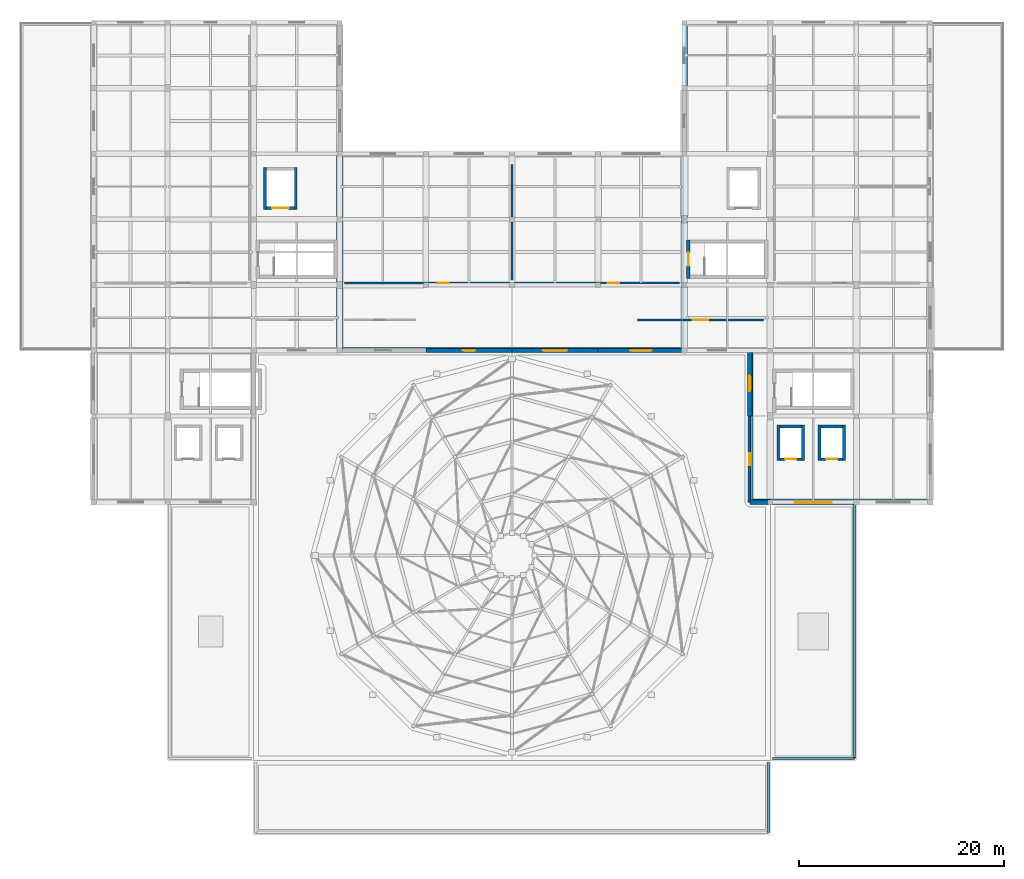
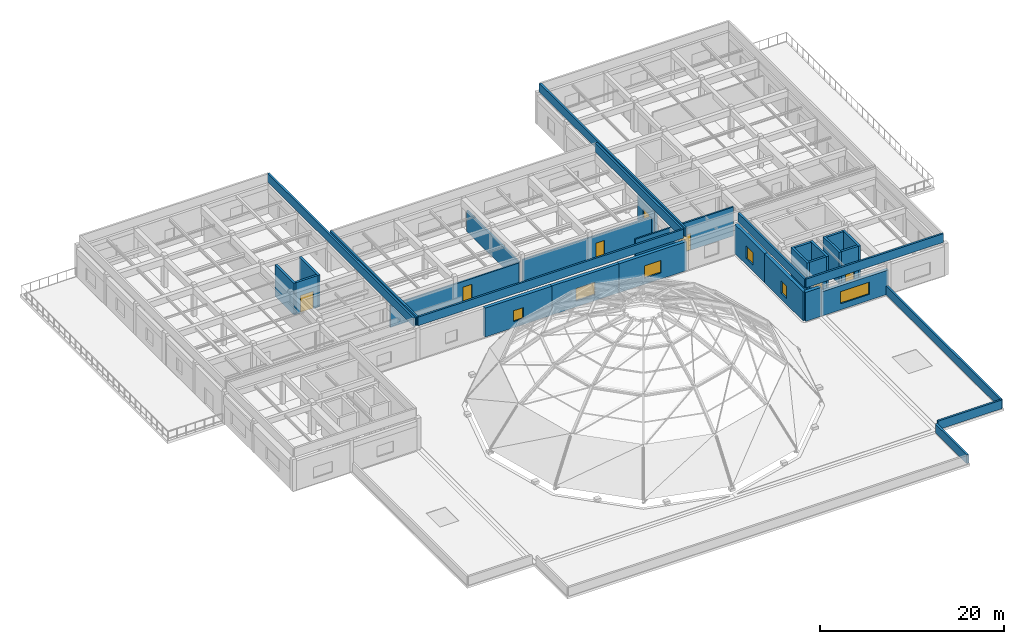
# One storey, part 12 of 18: 33 walls, 7 doors, 6 windows, 13 openings.
"""IFC4 building model written with IfcOpenShell, lengths in metres."""

from ifc_helpers import new_model, si_unit, direction, frame, frame_2d, origin, place, context, subcontext, project, spatial, rectangle, extrude, material, layer, layer_set, type_object, element, fill, save


model = new_model("IFC4")

# Units and contexts
model_context = context("Model", 3, precision=1e-05, world=origin(), true_north=direction((0.0, 1.0)))
body_context = subcontext(model_context, "Body", "Model", "MODEL_VIEW")
ifc_project = project(units=[si_unit("LENGTHUNIT", "METRE"), si_unit("AREAUNIT", "SQUARE_METRE"), si_unit("VOLUMEUNIT", "CUBIC_METRE"), si_unit("PLANEANGLEUNIT", "RADIAN"), si_unit("MASSUNIT", "GRAM", prefix="KILO")], contexts=[model_context])

# Site, building, storey
site_placement = place(None, origin())
site = spatial("IfcSite", under=ifc_project, at=site_placement, CompositionType="ELEMENT")
building_placement = place(site_placement, origin())
building = spatial("IfcBuilding", under=site, at=building_placement, Name="Korsvaeld Concert Hall", CompositionType="ELEMENT")
storey_placement = place(building_placement, frame((0.0, 0.0, 17.39990234375)))
storey = spatial("IfcBuildingStorey", under=building, at=storey_placement, Name="L04", CompositionType="ELEMENT", Elevation=17.39990234375)

# Wall, opening, door
ifc_material_1 = material(Name="Concrete C40/50", Category="concrete")
ifc_layer_1 = layer(ifc_material_1, 0.340087890625)
ifc_layer_set_1 = layer_set([ifc_layer_1], Name="Concrete C40/50")
wall_type_1 = type_object("IfcWallType", Name="WL-CORE-340", PredefinedType="SHEAR", material=ifc_layer_set_1)
wall_1_placement = place(storey_placement, frame((101.199951171875, 94.010009765625, 0.0), z_axis=(0.0, 0.0, 1.0), x_axis=(0.0, -1.0, 0.0)))
wall_1 = element("IfcWall", 1, at=wall_1_placement, inside=storey, type_object=wall_type_1, Name="Core K6 shear wall L04 W", PredefinedType="SHEAR", context=body_context, shape_type="SweptSolid", body=[
    extrude(rectangle(XDim=3.780029296875, YDim=0.340087890625, at=frame_2d((1.89013671875, 0.0))), origin(), (0.0, 0.0, 1.0), 4.2001953125),
])
opening_1_placement = place(wall_1_placement, frame((1.239990234375, 0.0, 0.0)))
opening_1 = element("IfcOpeningElement", 2, at=opening_1_placement, cuts=wall_1, Name="Opening FD-01", PredefinedType="OPENING", context=body_context, shape_type="SweptSolid", body=[
    extrude(rectangle(XDim=1.300048828125, YDim=2.14990234375, at=frame_2d((0.64990234375, 1.074951171875))), frame((0.0, 0.18017578125, 0.0), z_axis=(0.0, -1.0, 0.0), x_axis=(1.0, 0.0, 0.0)), (0.0, 0.0, 1.0), 0.360107421875),
])
ifc_material_2 = material(Name="Acoustic steel and oak fire door", Category="steel")
door_type_1 = type_object("IfcDoorType", Name="DR-FD-STAIR-130x215", OperationType="NOTDEFINED", PredefinedType="DOOR", material=ifc_material_2)
door_1_placement = place(opening_1_placement, origin())
door_1 = element("IfcDoor", 3, at=door_1_placement, inside=storey, type_object=door_type_1, Name="Escape stair ST-K6 fire door L04", OperationType="SINGLE_SWING_RIGHT", OverallHeight=2.14990234375, OverallWidth=1.300048828125, PredefinedType="DOOR", context=body_context, shape_type="SweptSolid", body=[
    extrude(rectangle(XDim=1.300048828125, YDim=2.14990234375, at=frame_2d((0.64990234375, 1.074951171875))), frame((0.0, 0.02490234375, 0.0), z_axis=(0.0, -1.0, 0.0), x_axis=(1.0, 0.0, 0.0)), (0.0, 0.0, 1.0), 0.050048828125),
])
fill(opening_1, door_1)

# Wall, opening, window
ifc_material_3 = material(Name="Obernkirchener buff sandstone rainscreen on Concrete C35/45", Category="masonry")
ifc_layer_2 = layer(ifc_material_3, 0.389892578125)
ifc_layer_set_2 = layer_set([ifc_layer_2], Name="Obernkirchener buff sandstone rainscreen on Concrete C35/45")
wall_type_2 = type_object("IfcWallType", Name="WL-EXT-BUFF-390", PredefinedType="STANDARD", material=ifc_layer_set_2)
wall_2_placement = place(storey_placement, frame((117.60009765625, 68.39990234375, 0.0), z_axis=(0.0, 0.0, 1.0), x_axis=(-1.0, 0.0, 0.0)))
wall_2 = element("IfcWall", 4, at=wall_2_placement, inside=storey, type_object=wall_type_2, Name="Exterior sandstone wall L04-360", PredefinedType="STANDARD", context=body_context, shape_type="SweptSolid", body=[
    extrude(rectangle(XDim=8.400146484375, YDim=0.389892578125, at=frame_2d((4.2001953125, 0.0))), origin(), (0.0, 0.0, 1.0), 3.190185546875),
])
opening_2_placement = place(wall_2_placement, frame((2.39990234375, 0.0, 0.800048828125)))
opening_2 = element("IfcOpeningElement", 5, at=opening_2_placement, cuts=wall_2, Name="Opening WN-16", PredefinedType="OPENING", context=body_context, shape_type="SweptSolid", body=[
    extrude(rectangle(XDim=3.60009765625, YDim=1.60009765625, at=frame_2d((1.800048828125, 0.800048828125))), frame((0.0, 0.205078125, 0.0), z_axis=(0.0, -1.0, 0.0), x_axis=(1.0, 0.0, 0.0)), (0.0, 0.0, 1.0), 0.409912109375),
])
ifc_material_4 = material(Name="Anodised bronze frame with acoustic triple glazing", Category="glass")
window_type_1 = type_object("IfcWindowType", Name="WIN-AC-360x160", PartitioningType="TRIPLE_PANEL_VERTICAL", PredefinedType="WINDOW", material=ifc_material_4)
window_1_placement = place(opening_2_placement, origin())
window_1 = element("IfcWindow", 6, at=window_1_placement, inside=storey, type_object=window_type_1, Name="Acoustic triple-glazed window L04-247", OverallHeight=1.60009765625, OverallWidth=3.60009765625, PartitioningType="TRIPLE_PANEL_VERTICAL", PredefinedType="WINDOW", context=body_context, shape_type="SweptSolid", body=[
    extrude(rectangle(XDim=3.60009765625, YDim=1.60009765625, at=frame_2d((1.800048828125, 0.800048828125))), frame((0.0, 0.030029296875, 0.0), z_axis=(0.0, -1.0, 0.0), x_axis=(1.0, 0.0, 0.0)), (0.0, 0.0, 1.0), 0.06005859375),
])
fill(opening_2, window_1)

wall_3_placement = place(storey_placement, frame((107.199951171875, 68.39990234375, 0.0), z_axis=(0.0, 0.0, 1.0), x_axis=(0.0, 1.0, 0.0)))
wall_3 = element("IfcWall", 7, at=wall_3_placement, inside=storey, type_object=wall_type_2, Name="Exterior sandstone wall L04-362", PredefinedType="STANDARD", context=body_context, shape_type="SweptSolid", body=[
    extrude(rectangle(XDim=8.400146484375, YDim=0.389892578125, at=frame_2d((4.2001953125, 0.0))), origin(), (0.0, 0.0, 1.0), 3.840087890625),
])
opening_3_placement = place(wall_3_placement, frame((3.60009765625, 0.0, 0.800048828125)))
opening_3 = element("IfcOpeningElement", 8, at=opening_3_placement, cuts=wall_3, Name="Opening WN-01", PredefinedType="OPENING", context=body_context, shape_type="SweptSolid", body=[
    extrude(rectangle(XDim=1.199951171875, YDim=1.64990234375, at=frame_2d((0.60009765625, 0.824951171875))), frame((0.0, 0.205078125, 0.0), z_axis=(0.0, -1.0, 0.0), x_axis=(1.0, 0.0, 0.0)), (0.0, 0.0, 1.0), 0.409912109375),
])
window_type_2 = type_object("IfcWindowType", Name="WIN-AC-120x165", PartitioningType="SINGLE_PANEL", PredefinedType="WINDOW", material=ifc_material_4)
window_2_placement = place(opening_3_placement, origin())
window_2 = element("IfcWindow", 9, at=window_2_placement, inside=storey, type_object=window_type_2, Name="Acoustic triple-glazed window L04-248", OverallHeight=1.64990234375, OverallWidth=1.199951171875, PartitioningType="SINGLE_PANEL", PredefinedType="WINDOW", context=body_context, shape_type="SweptSolid", body=[
    extrude(rectangle(XDim=1.199951171875, YDim=1.64990234375, at=frame_2d((0.60009765625, 0.824951171875))), frame((0.0, 0.030029296875, 0.0), z_axis=(0.0, -1.0, 0.0), x_axis=(1.0, 0.0, 0.0)), (0.0, 0.0, 1.0), 0.06005859375),
])
fill(opening_3, window_2)

wall_4_placement = place(storey_placement, frame((92.39990234375, 83.199951171875, 0.0), z_axis=(0.0, 0.0, 1.0), x_axis=(-1.0, 0.0, 0.0)))
wall_4 = element("IfcWall", 10, at=wall_4_placement, inside=storey, type_object=wall_type_2, Name="Exterior sandstone wall L04-366", PredefinedType="STANDARD", context=body_context, shape_type="SweptSolid", body=[
    extrude(rectangle(XDim=8.39990234375, YDim=0.389892578125, at=frame_2d((4.199951171875, 0.0))), origin(), (0.0, 0.0, 1.0), 3.840087890625),
])
opening_4_placement = place(wall_4_placement, frame((3.0, 0.0, 0.800048828125)))
opening_4 = element("IfcOpeningElement", 11, at=opening_4_placement, cuts=wall_4, Name="Opening WN-05", PredefinedType="OPENING", context=body_context, shape_type="SweptSolid", body=[
    extrude(rectangle(XDim=2.39990234375, YDim=1.64990234375, at=frame_2d((1.199951171875, 0.824951171875))), frame((0.0, 0.205078125, 0.0), z_axis=(0.0, -1.0, 0.0), x_axis=(1.0, 0.0, 0.0)), (0.0, 0.0, 1.0), 0.409912109375),
])
window_type_3 = type_object("IfcWindowType", Name="WIN-AC-240x165", PartitioningType="TRIPLE_PANEL_VERTICAL", PredefinedType="WINDOW", material=ifc_material_4)
window_3_placement = place(opening_4_placement, origin())
window_3 = element("IfcWindow", 12, at=window_3_placement, inside=storey, type_object=window_type_3, Name="Acoustic triple-glazed window L04-252", OverallHeight=1.64990234375, OverallWidth=2.39990234375, PartitioningType="TRIPLE_PANEL_VERTICAL", PredefinedType="WINDOW", context=body_context, shape_type="SweptSolid", body=[
    extrude(rectangle(XDim=2.39990234375, YDim=1.64990234375, at=frame_2d((1.199951171875, 0.824951171875))), frame((0.0, 0.030029296875, 0.0), z_axis=(0.0, -1.0, 0.0), x_axis=(1.0, 0.0, 0.0)), (0.0, 0.0, 1.0), 0.06005859375),
])
fill(opening_4, window_3)

# Wall
ifc_material_5 = material(Name="Bornholm Nexo rose-red sandstone rainscreen on Concrete C35/45", Category="masonry")
ifc_layer_3 = layer(ifc_material_5, 0.419921875)
ifc_layer_set_3 = layer_set([ifc_layer_3], Name="Bornholm Nexo rose-red sandstone rainscreen on Concrete C35/45")
wall_type_3 = type_object("IfcWallType", Name="WL-EXT-NEXO-420", PredefinedType="STANDARD", material=ifc_layer_set_3)
wall_5_placement = place(storey_placement, frame((109.199951171875, 68.39990234375, 0.0), z_axis=(0.0, 0.0, 1.0), x_axis=(-1.0, 0.0, 0.0)))
element("IfcWall", 13, at=wall_5_placement, inside=storey, type_object=wall_type_3, Name="Exterior sandstone wall L04-361", PredefinedType="STANDARD", context=body_context, shape_type="SweptSolid", body=[
    extrude(rectangle(XDim=2.0, YDim=0.419921875, at=frame_2d((1.0, 0.0))), origin(), (0.0, 0.0, 1.0), 3.840087890625),
])

# Wall, opening, window
wall_6_placement = place(storey_placement, frame((107.199951171875, 76.800048828125, 0.0), z_axis=(0.0, 0.0, 1.0), x_axis=(0.0, 1.0, 0.0)))
wall_6 = element("IfcWall", 14, at=wall_6_placement, inside=storey, type_object=wall_type_3, Name="Exterior sandstone wall L04-363", PredefinedType="STANDARD", context=body_context, shape_type="SweptSolid", body=[
    extrude(rectangle(XDim=6.39990234375, YDim=0.419921875, at=frame_2d((3.199951171875, 0.0))), origin(), (0.0, 0.0, 1.0), 3.840087890625),
])
opening_5_placement = place(wall_6_placement, frame((2.449951171875, 0.0, 0.800048828125)))
opening_5 = element("IfcOpeningElement", 15, at=opening_5_placement, cuts=wall_6, Name="Opening WN-02", PredefinedType="OPENING", context=body_context, shape_type="SweptSolid", body=[
    extrude(rectangle(XDim=1.5, YDim=1.64990234375, at=frame_2d((0.75, 0.824951171875))), frame((0.0, 0.219970703125, 0.0), z_axis=(0.0, -1.0, 0.0), x_axis=(1.0, 0.0, 0.0)), (0.0, 0.0, 1.0), 0.43994140625),
])
window_type_4 = type_object("IfcWindowType", Name="WIN-AC-150x165", PartitioningType="SINGLE_PANEL", PredefinedType="WINDOW", material=ifc_material_4)
window_4_placement = place(opening_5_placement, origin())
window_4 = element("IfcWindow", 16, at=window_4_placement, inside=storey, type_object=window_type_4, Name="Acoustic triple-glazed window L04-249", OverallHeight=1.64990234375, OverallWidth=1.5, PartitioningType="SINGLE_PANEL", PredefinedType="WINDOW", context=body_context, shape_type="SweptSolid", body=[
    extrude(rectangle(XDim=1.5, YDim=1.64990234375, at=frame_2d((0.75, 0.824951171875))), frame((0.0, 0.030029296875, 0.0), z_axis=(0.0, -1.0, 0.0), x_axis=(1.0, 0.0, 0.0)), (0.0, 0.0, 1.0), 0.06005859375),
])
fill(opening_5, window_4)

wall_7_placement = place(storey_placement, frame((100.800048828125, 83.199951171875, 0.0), z_axis=(0.0, 0.0, 1.0), x_axis=(-1.0, 0.0, 0.0)))
wall_7 = element("IfcWall", 17, at=wall_7_placement, inside=storey, type_object=wall_type_3, Name="Exterior sandstone wall L04-365", PredefinedType="STANDARD", context=body_context, shape_type="SweptSolid", body=[
    extrude(rectangle(XDim=8.400146484375, YDim=0.419921875, at=frame_2d((4.2001953125, 0.0))), origin(), (0.0, 0.0, 1.0), 3.840087890625),
])
opening_6_placement = place(wall_7_placement, frame((3.14990234375, 0.0, 0.800048828125)))
opening_6 = element("IfcOpeningElement", 18, at=opening_6_placement, cuts=wall_7, Name="Opening WN-04", PredefinedType="OPENING", context=body_context, shape_type="SweptSolid", body=[
    extrude(rectangle(XDim=2.10009765625, YDim=1.64990234375, at=frame_2d((1.050048828125, 0.824951171875))), frame((0.0, 0.219970703125, 0.0), z_axis=(0.0, -1.0, 0.0), x_axis=(1.0, 0.0, 0.0)), (0.0, 0.0, 1.0), 0.43994140625),
])
window_type_5 = type_object("IfcWindowType", Name="WIN-AC-210x165", PartitioningType="SINGLE_PANEL", PredefinedType="WINDOW", material=ifc_material_4)
window_5_placement = place(opening_6_placement, origin())
window_5 = element("IfcWindow", 19, at=window_5_placement, inside=storey, type_object=window_type_5, Name="Acoustic triple-glazed window L04-251", OverallHeight=1.64990234375, OverallWidth=2.10009765625, PartitioningType="SINGLE_PANEL", PredefinedType="WINDOW", context=body_context, shape_type="SweptSolid", body=[
    extrude(rectangle(XDim=2.10009765625, YDim=1.64990234375, at=frame_2d((1.050048828125, 0.824951171875))), frame((0.0, 0.030029296875, 0.0), z_axis=(0.0, -1.0, 0.0), x_axis=(1.0, 0.0, 0.0)), (0.0, 0.0, 1.0), 0.06005859375),
])
fill(opening_6, window_5)

wall_8_placement = place(storey_placement, frame((84.0, 83.199951171875, 0.0), z_axis=(0.0, 0.0, 1.0), x_axis=(-1.0, 0.0, 0.0)))
wall_8 = element("IfcWall", 20, at=wall_8_placement, inside=storey, type_object=wall_type_3, Name="Exterior sandstone wall L04-367", PredefinedType="STANDARD", context=body_context, shape_type="SweptSolid", body=[
    extrude(rectangle(XDim=8.39990234375, YDim=0.419921875, at=frame_2d((4.199951171875, 0.0))), origin(), (0.0, 0.0, 1.0), 3.840087890625),
])
opening_7_placement = place(wall_8_placement, frame((3.60009765625, 0.0, 0.800048828125)))
opening_7 = element("IfcOpeningElement", 21, at=opening_7_placement, cuts=wall_8, Name="Opening WN-06", PredefinedType="OPENING", context=body_context, shape_type="SweptSolid", body=[
    extrude(rectangle(XDim=1.199951171875, YDim=1.449951171875, at=frame_2d((0.60009765625, 0.72509765625))), frame((0.0, 0.219970703125, 0.0), z_axis=(0.0, -1.0, 0.0), x_axis=(1.0, 0.0, 0.0)), (0.0, 0.0, 1.0), 0.43994140625),
])
window_type_6 = type_object("IfcWindowType", Name="WIN-AC-120x145", PartitioningType="SINGLE_PANEL", PredefinedType="WINDOW", material=ifc_material_4)
window_6_placement = place(opening_7_placement, origin())
window_6 = element("IfcWindow", 22, at=window_6_placement, inside=storey, type_object=window_type_6, Name="Acoustic triple-glazed window L04-253", OverallHeight=1.449951171875, OverallWidth=1.199951171875, PartitioningType="SINGLE_PANEL", PredefinedType="WINDOW", context=body_context, shape_type="SweptSolid", body=[
    extrude(rectangle(XDim=1.199951171875, YDim=1.449951171875, at=frame_2d((0.60009765625, 0.72509765625))), frame((0.0, 0.030029296875, 0.0), z_axis=(0.0, -1.0, 0.0), x_axis=(1.0, 0.0, 0.0)), (0.0, 0.0, 1.0), 0.06005859375),
])
fill(opening_7, window_6)

# Wall, opening, door
ifc_material_6 = material(Name="Double acoustic gypsum fire compartment wall")
ifc_layer_4 = layer(ifc_material_6, 0.199951171875)
ifc_layer_set_4 = layer_set([ifc_layer_4], Name="Double acoustic gypsum fire compartment wall")
wall_type_4 = type_object("IfcWallType", Name="WL-FIRE-200", PredefinedType="PARTITIONING", material=ifc_layer_set_4)
wall_9_placement = place(storey_placement, frame((67.659912109375, 89.800048828125, 0.0), z_axis=(0.0, 0.0, 1.0), x_axis=(1.0, 0.0, 0.0)))
wall_9 = element("IfcWall", 23, at=wall_9_placement, inside=storey, type_object=wall_type_4, Name="Interior partition L04-04 S", PredefinedType="PARTITIONING", context=body_context, shape_type="SweptSolid", body=[
    extrude(rectangle(XDim=16.080078125, YDim=0.199951171875, at=frame_2d((8.0400390625, 0.0))), origin(), (0.0, 0.0, 1.0), 2.9150390625),
])
opening_8_placement = place(wall_9_placement, frame((9.090087890625, 0.0, 0.0)))
opening_8 = element("IfcOpeningElement", 24, at=opening_8_placement, cuts=wall_9, Name="Opening FD-05", PredefinedType="OPENING", context=body_context, shape_type="SweptSolid", body=[
    extrude(rectangle(XDim=1.10009765625, YDim=2.14990234375, at=frame_2d((0.550048828125, 1.074951171875))), frame((0.0, 0.10986328125, 0.0), z_axis=(0.0, -1.0, 0.0), x_axis=(1.0, 0.0, 0.0)), (0.0, 0.0, 1.0), 0.219970703125),
])
ifc_material_7 = material(Name="Oak fire-compartment door")
door_type_2 = type_object("IfcDoorType", Name="DR-FD-COMP-110x215", OperationType="NOTDEFINED", PredefinedType="DOOR", material=ifc_material_7)
door_2_placement = place(opening_8_placement, origin())
door_2 = element("IfcDoor", 25, at=door_2_placement, inside=storey, type_object=door_type_2, Name="Broadcast Mastering Studio A door L04-04", OperationType="SINGLE_SWING_LEFT", OverallHeight=2.14990234375, OverallWidth=1.10009765625, PredefinedType="DOOR", context=body_context, shape_type="SweptSolid", body=[
    extrude(rectangle(XDim=1.10009765625, YDim=2.14990234375, at=frame_2d((0.550048828125, 1.074951171875))), frame((0.0, 0.02490234375, 0.0), z_axis=(0.0, -1.0, 0.0), x_axis=(1.0, 0.0, 0.0)), (0.0, 0.0, 1.0), 0.050048828125),
])
fill(opening_8, door_2)

# Wall
wall_10_placement = place(storey_placement, frame((84.0, 90.06005859375, 0.0), z_axis=(0.0, 0.0, 1.0), x_axis=(0.0, 1.0, 0.0)))
element("IfcWall", 26, at=wall_10_placement, inside=storey, type_object=wall_type_4, Name="Interior partition L04-04 E", PredefinedType="PARTITIONING", context=body_context, shape_type="SweptSolid", body=[
    extrude(rectangle(XDim=11.280029296875, YDim=0.199951171875, at=frame_2d((5.64013671875, 0.0))), origin(), (0.0, 0.0, 1.0), 2.76513671875),
])

# Wall, opening, door
wall_11_placement = place(storey_placement, frame((84.260009765625, 89.800048828125, 0.0), z_axis=(0.0, 0.0, 1.0), x_axis=(1.0, 0.0, 0.0)))
wall_11 = element("IfcWall", 27, at=wall_11_placement, inside=storey, type_object=wall_type_4, Name="Interior partition L04-05 S", PredefinedType="PARTITIONING", context=body_context, shape_type="SweptSolid", body=[
    extrude(rectangle(XDim=16.080078125, YDim=0.199951171875, at=frame_2d((8.0400390625, 0.0))), origin(), (0.0, 0.0, 1.0), 3.1650390625),
])
opening_9_placement = place(wall_11_placement, frame((9.090087890625, 0.0, 0.0)))
opening_9 = element("IfcOpeningElement", 28, at=opening_9_placement, cuts=wall_11, Name="Opening FD-05", PredefinedType="OPENING", context=body_context, shape_type="SweptSolid", body=[
    extrude(rectangle(XDim=1.10009765625, YDim=2.14990234375, at=frame_2d((0.550048828125, 1.074951171875))), frame((0.0, 0.10986328125, 0.0), z_axis=(0.0, -1.0, 0.0), x_axis=(1.0, 0.0, 0.0)), (0.0, 0.0, 1.0), 0.219970703125),
])
door_3_placement = place(opening_9_placement, origin())
door_3 = element("IfcDoor", 29, at=door_3_placement, inside=storey, type_object=door_type_2, Name="Post-Production & Mixing Studio B door L04-05", OperationType="SINGLE_SWING_RIGHT", OverallHeight=2.14990234375, OverallWidth=1.10009765625, PredefinedType="DOOR", context=body_context, shape_type="SweptSolid", body=[
    extrude(rectangle(XDim=1.10009765625, YDim=2.14990234375, at=frame_2d((0.550048828125, 1.074951171875))), frame((0.0, 0.02490234375, 0.0), z_axis=(0.0, -1.0, 0.0), x_axis=(1.0, 0.0, 0.0)), (0.0, 0.0, 1.0), 0.050048828125),
])
fill(opening_9, door_3)

wall_12_placement = place(storey_placement, frame((108.5400390625, 86.199951171875, 0.0), z_axis=(0.0, 0.0, 1.0), x_axis=(-1.0, 0.0, 0.0)))
wall_12 = element("IfcWall", 30, at=wall_12_placement, inside=storey, type_object=wall_type_4, Name="Interior partition L04-11 N", PredefinedType="PARTITIONING", context=body_context, shape_type="SweptSolid", body=[
    extrude(rectangle(XDim=12.280029296875, YDim=0.199951171875, at=frame_2d((6.14013671875, 0.0))), origin(), (0.0, 0.0, 1.0), 3.840087890625),
])
opening_10_placement = place(wall_12_placement, frame((5.389892578125, 0.0, 0.0)))
opening_10 = element("IfcOpeningElement", 31, at=opening_10_placement, cuts=wall_12, Name="Opening FD-07", PredefinedType="OPENING", context=body_context, shape_type="SweptSolid", body=[
    extrude(rectangle(XDim=1.5, YDim=2.199951171875, at=frame_2d((0.75, 1.10009765625))), frame((0.0, 0.10986328125, 0.0), z_axis=(0.0, -1.0, 0.0), x_axis=(1.0, 0.0, 0.0)), (0.0, 0.0, 1.0), 0.219970703125),
])
ifc_material_8 = material(Name="Acoustic steel plant fire door", Category="steel")
door_type_3 = type_object("IfcDoorType", Name="DR-FD-PLANT-150x220", OperationType="DOUBLE_DOOR_SINGLE_SWING", PredefinedType="DOOR", material=ifc_material_8)
door_4_placement = place(opening_10_placement, origin())
door_4 = element("IfcDoor", 32, at=door_4_placement, inside=storey, type_object=door_type_3, Name="Technical Instrument Store L04 door L04-11", OperationType="DOUBLE_DOOR_SINGLE_SWING", OverallHeight=2.199951171875, OverallWidth=1.5, PredefinedType="DOOR", context=body_context, shape_type="SweptSolid", body=[
    extrude(rectangle(XDim=1.5, YDim=2.199951171875, at=frame_2d((0.75, 1.10009765625))), frame((0.0, 0.02490234375, 0.0), z_axis=(0.0, -1.0, 0.0), x_axis=(1.0, 0.0, 0.0)), (0.0, 0.0, 1.0), 0.050048828125),
])
fill(opening_10, door_4)

# Walls
ifc_material_9 = material(Name="Bornholm Nexo sandstone parapet on Concrete C35/45", Category="masonry")
ifc_layer_5 = layer(ifc_material_9, 0.239990234375)
ifc_layer_set_5 = layer_set([ifc_layer_5], Name="Bornholm Nexo sandstone parapet on Concrete C35/45")
wall_type_5 = type_object("IfcWallType", Name="WL-PARAPET-240", PredefinedType="PARAPET", material=ifc_layer_set_5)
wall_13_placement = place(storey_placement, frame((109.39990234375, 43.39990234375, 0.0), z_axis=(0.0, 0.0, 1.0), x_axis=(1.0, 0.0, 0.0)))
element("IfcWall", 33, at=wall_13_placement, inside=storey, type_object=wall_type_5, Name="Roof parapet SLB-ROOF_L04_V1E-1", PredefinedType="PARAPET", context=body_context, shape_type="SweptSolid", body=[
    extrude(rectangle(XDim=8.0, YDim=0.239990234375, at=frame_2d((4.0, 0.0))), origin(), (0.0, 0.0, 1.0), 1.150146484375),
])
wall_14_placement = place(storey_placement, frame((117.39990234375, 43.39990234375, 0.0), z_axis=(0.0, 0.0, 1.0), x_axis=(0.0, 1.0, 0.0)))
element("IfcWall", 34, at=wall_14_placement, inside=storey, type_object=wall_type_5, Name="Roof parapet SLB-ROOF_L04_V1E-2", PredefinedType="PARAPET", context=body_context, shape_type="SweptSolid", body=[
    extrude(rectangle(XDim=24.800048828125, YDim=0.239990234375, at=frame_2d((12.39990234375, 0.0))), origin(), (0.0, 0.0, 1.0), 1.150146484375),
])
wall_15_placement = place(storey_placement, frame((107.39990234375, 68.60009765625, 4.2001953125), z_axis=(0.0, 0.0, 1.0), x_axis=(1.0, 0.0, 0.0)))
element("IfcWall", 35, at=wall_15_placement, inside=storey, type_object=wall_type_5, Name="Roof parapet SLB-ROOF_TOP_K2-1", PredefinedType="PARAPET", context=body_context, shape_type="SweptSolid", body=[
    extrude(rectangle(XDim=17.2001953125, YDim=0.239990234375, at=frame_2d((8.60009765625, 0.0))), origin(), (0.0, 0.0, 1.0), 1.14990234375),
])
wall_16_placement = place(storey_placement, frame((107.39990234375, 83.0, 4.2001953125), z_axis=(0.0, 0.0, 1.0), x_axis=(0.0, -1.0, 0.0)))
element("IfcWall", 36, at=wall_16_placement, inside=storey, type_object=wall_type_5, Name="Roof parapet SLB-ROOF_TOP_K2-4", PredefinedType="PARAPET", context=body_context, shape_type="SweptSolid", body=[
    extrude(rectangle(XDim=14.39990234375, YDim=0.239990234375, at=frame_2d((7.199951171875, 0.0))), origin(), (0.0, 0.0, 1.0), 1.14990234375),
])
wall_17_placement = place(storey_placement, frame((67.0, 83.39990234375, 4.2001953125), z_axis=(0.0, 0.0, 1.0), x_axis=(0.0, 1.0, 0.0)))
element("IfcWall", 37, at=wall_17_placement, inside=storey, type_object=wall_type_5, Name="Roof parapet SLB-ROOF_TOP_V5W-2", PredefinedType="PARAPET", context=body_context, shape_type="SweptSolid", body=[
    extrude(rectangle(XDim=31.60009765625, YDim=0.239990234375, at=frame_2d((15.800048828125, 0.0))), origin(), (0.0, 0.0, 1.0), 1.14990234375),
])
wall_18_placement = place(storey_placement, frame((67.39990234375, 83.39990234375, 4.2001953125), z_axis=(0.0, 0.0, 1.0), x_axis=(1.0, 0.0, 0.0)))
element("IfcWall", 38, at=wall_18_placement, inside=storey, type_object=wall_type_5, Name="Roof parapet SLB-ROOF_TOP_V5C-1", PredefinedType="PARAPET", context=body_context, shape_type="SweptSolid", body=[
    extrude(rectangle(XDim=33.2001953125, YDim=0.239990234375, at=frame_2d((16.60009765625, 0.0))), origin(), (0.0, 0.0, 1.0), 1.14990234375),
])
for number, where, z_axis, x_axis, name in (
    (39, (100.60009765625, 83.39990234375, 4.2001953125), (0.0, 0.0, 1.0), (0.0, 1.0, 0.0), "Roof parapet SLB-ROOF_TOP_V5C-2"),
    (40, (67.39990234375, 102.199951171875, 4.2001953125), (0.0, 0.0, 1.0), (0.0, -1.0, 0.0), "Roof parapet SLB-ROOF_TOP_V5C-4"),
):
    element("IfcWall", number, at=place(storey_placement, frame(where, z_axis=z_axis, x_axis=x_axis)), inside=storey, type_object=wall_type_5, Name=name, PredefinedType="PARAPET", context=body_context, shape_type="SweptSolid", body=[
        extrude(rectangle(XDim=18.800048828125, YDim=0.239990234375, at=frame_2d((9.39990234375, 0.0))), origin(), (0.0, 0.0, 1.0), 1.14990234375),
    ])
wall_19_placement = place(storey_placement, frame((101.0, 115.0, 4.2001953125), z_axis=(0.0, 0.0, 1.0), x_axis=(0.0, -1.0, 0.0)))
element("IfcWall", 41, at=wall_19_placement, inside=storey, type_object=wall_type_5, Name="Roof parapet SLB-ROOF_TOP_V5E-4", PredefinedType="PARAPET", context=body_context, shape_type="SweptSolid", body=[
    extrude(rectangle(XDim=31.60009765625, YDim=0.239990234375, at=frame_2d((15.800048828125, 0.0))), origin(), (0.0, 0.0, 1.0), 1.14990234375),
])
wall_20_placement = place(storey_placement, frame((109.0, 36.199951171875, 0.0), z_axis=(0.0, 0.0, 1.0), x_axis=(0.0, 1.0, 0.0)))
element("IfcWall", 42, at=wall_20_placement, inside=storey, type_object=wall_type_5, Name="Roof parapet SLB-ROOF_L04_BELV-2", PredefinedType="PARAPET", context=body_context, shape_type="SweptSolid", body=[
    extrude(rectangle(XDim=6.800048828125, YDim=0.239990234375, at=frame_2d((3.39990234375, 0.0))), origin(), (0.0, 0.0, 1.0), 1.150146484375),
])

# Wall, opening, door
ifc_layer_6 = layer(ifc_material_1, 0.280029296875)
ifc_layer_set_6 = layer_set([ifc_layer_6], Name="Concrete C40/50")
wall_type_6 = type_object("IfcWallType", Name="WL-SHAFT-280", PredefinedType="SHEAR", material=ifc_layer_set_6)
wall_21_placement = place(storey_placement, frame((110.139892578125, 72.60009765625, 0.0), z_axis=(0.0, 0.0, 1.0), x_axis=(1.0, 0.0, 0.0)))
wall_21 = element("IfcWall", 43, at=wall_21_placement, inside=storey, type_object=wall_type_6, Name="Lift LP-03 shaft wall L04 S", PredefinedType="SHEAR", context=body_context, shape_type="SweptSolid", body=[
    extrude(rectangle(XDim=2.1201171875, YDim=0.280029296875, at=frame_2d((1.06005859375, 0.0))), origin(), (0.0, 0.0, 1.0), 4.2001953125),
])
opening_11_placement = place(wall_21_placement, frame((0.510009765625, 0.0, 0.0)))
opening_11 = element("IfcOpeningElement", 44, at=opening_11_placement, cuts=wall_21, Name="Opening LD-01", PredefinedType="OPENING", context=body_context, shape_type="SweptSolid", body=[
    extrude(rectangle(XDim=1.10009765625, YDim=2.14990234375, at=frame_2d((0.550048828125, 1.074951171875))), frame((0.0, 0.14990234375, 0.0), z_axis=(0.0, -1.0, 0.0), x_axis=(1.0, 0.0, 0.0)), (0.0, 0.0, 1.0), 0.300048828125),
])
ifc_material_10 = material(Name="Brushed bronze-stainless sliding lift landing door")
door_type_4 = type_object("IfcDoorType", Name="DR-LD-PASS-110x215", OperationType="NOTDEFINED", PredefinedType="DOOR", material=ifc_material_10)
door_5_placement = place(opening_11_placement, origin())
door_5 = element("IfcDoor", 45, at=door_5_placement, inside=storey, type_object=door_type_4, Name="Lift landing door LP-03 L04", OperationType="SLIDING_TO_LEFT", OverallHeight=2.14990234375, OverallWidth=1.10009765625, PredefinedType="DOOR", context=body_context, shape_type="SweptSolid", body=[
    extrude(rectangle(XDim=1.10009765625, YDim=2.14990234375, at=frame_2d((0.550048828125, 1.074951171875))), frame((0.0, 0.02490234375, 0.0), z_axis=(0.0, -1.0, 0.0), x_axis=(1.0, 0.0, 0.0)), (0.0, 0.0, 1.0), 0.050048828125),
])
fill(opening_11, door_5)

# Walls
wall_22_placement = place(storey_placement, frame((112.39990234375, 72.4599609375, 0.0), z_axis=(0.0, 0.0, 1.0), x_axis=(0.0, 1.0, 0.0)))
element("IfcWall", 46, at=wall_22_placement, inside=storey, type_object=wall_type_6, Name="Lift LP-03 shaft wall L04 E", PredefinedType="SHEAR", context=body_context, shape_type="SweptSolid", body=[
    extrude(rectangle(XDim=3.47998046875, YDim=0.280029296875, at=frame_2d((1.739990234375, 0.0))), origin(), (0.0, 0.0, 1.0), 4.2001953125),
])
wall_23_placement = place(storey_placement, frame((112.260009765625, 75.800048828125, 0.0), z_axis=(0.0, 0.0, 1.0), x_axis=(-1.0, 0.0, 0.0)))
element("IfcWall", 47, at=wall_23_placement, inside=storey, type_object=wall_type_6, Name="Lift LP-03 shaft wall L04 N", PredefinedType="SHEAR", context=body_context, shape_type="SweptSolid", body=[
    extrude(rectangle(XDim=2.1201171875, YDim=0.280029296875, at=frame_2d((1.06005859375, 0.0))), origin(), (0.0, 0.0, 1.0), 4.2001953125),
])
wall_24_placement = place(storey_placement, frame((110.0, 75.93994140625, 0.0), z_axis=(0.0, 0.0, 1.0), x_axis=(0.0, -1.0, 0.0)))
element("IfcWall", 48, at=wall_24_placement, inside=storey, type_object=wall_type_6, Name="Lift LP-03 shaft wall L04 W", PredefinedType="SHEAR", context=body_context, shape_type="SweptSolid", body=[
    extrude(rectangle(XDim=3.47998046875, YDim=0.280029296875, at=frame_2d((1.739990234375, 0.0))), origin(), (0.0, 0.0, 1.0), 4.2001953125),
])

# Wall, opening, door
wall_25_placement = place(storey_placement, frame((114.139892578125, 72.60009765625, 0.0), z_axis=(0.0, 0.0, 1.0), x_axis=(1.0, 0.0, 0.0)))
wall_25 = element("IfcWall", 49, at=wall_25_placement, inside=storey, type_object=wall_type_6, Name="Lift LP-04 shaft wall L04 S", PredefinedType="SHEAR", context=body_context, shape_type="SweptSolid", body=[
    extrude(rectangle(XDim=2.1201171875, YDim=0.280029296875, at=frame_2d((1.06005859375, 0.0))), origin(), (0.0, 0.0, 1.0), 4.2001953125),
])
opening_12_placement = place(wall_25_placement, frame((0.510009765625, 0.0, 0.0)))
opening_12 = element("IfcOpeningElement", 50, at=opening_12_placement, cuts=wall_25, Name="Opening LD-01", PredefinedType="OPENING", context=body_context, shape_type="SweptSolid", body=[
    extrude(rectangle(XDim=1.10009765625, YDim=2.14990234375, at=frame_2d((0.550048828125, 1.074951171875))), frame((0.0, 0.14990234375, 0.0), z_axis=(0.0, -1.0, 0.0), x_axis=(1.0, 0.0, 0.0)), (0.0, 0.0, 1.0), 0.300048828125),
])
door_6_placement = place(opening_12_placement, origin())
door_6 = element("IfcDoor", 51, at=door_6_placement, inside=storey, type_object=door_type_4, Name="Lift landing door LP-04 L04", OperationType="SLIDING_TO_RIGHT", OverallHeight=2.14990234375, OverallWidth=1.10009765625, PredefinedType="DOOR", context=body_context, shape_type="SweptSolid", body=[
    extrude(rectangle(XDim=1.10009765625, YDim=2.14990234375, at=frame_2d((0.550048828125, 1.074951171875))), frame((0.0, 0.02490234375, 0.0), z_axis=(0.0, -1.0, 0.0), x_axis=(1.0, 0.0, 0.0)), (0.0, 0.0, 1.0), 0.050048828125),
])
fill(opening_12, door_6)

# Walls
wall_26_placement = place(storey_placement, frame((116.39990234375, 72.4599609375, 0.0), z_axis=(0.0, 0.0, 1.0), x_axis=(0.0, 1.0, 0.0)))
element("IfcWall", 52, at=wall_26_placement, inside=storey, type_object=wall_type_6, Name="Lift LP-04 shaft wall L04 E", PredefinedType="SHEAR", context=body_context, shape_type="SweptSolid", body=[
    extrude(rectangle(XDim=3.47998046875, YDim=0.280029296875, at=frame_2d((1.739990234375, 0.0))), origin(), (0.0, 0.0, 1.0), 4.2001953125),
])
wall_27_placement = place(storey_placement, frame((116.260009765625, 75.800048828125, 0.0), z_axis=(0.0, 0.0, 1.0), x_axis=(-1.0, 0.0, 0.0)))
element("IfcWall", 53, at=wall_27_placement, inside=storey, type_object=wall_type_6, Name="Lift LP-04 shaft wall L04 N", PredefinedType="SHEAR", context=body_context, shape_type="SweptSolid", body=[
    extrude(rectangle(XDim=2.1201171875, YDim=0.280029296875, at=frame_2d((1.06005859375, 0.0))), origin(), (0.0, 0.0, 1.0), 4.2001953125),
])
wall_28_placement = place(storey_placement, frame((114.0, 75.93994140625, 0.0), z_axis=(0.0, 0.0, 1.0), x_axis=(0.0, -1.0, 0.0)))
element("IfcWall", 54, at=wall_28_placement, inside=storey, type_object=wall_type_6, Name="Lift LP-04 shaft wall L04 W", PredefinedType="SHEAR", context=body_context, shape_type="SweptSolid", body=[
    extrude(rectangle(XDim=3.47998046875, YDim=0.280029296875, at=frame_2d((1.739990234375, 0.0))), origin(), (0.0, 0.0, 1.0), 4.2001953125),
])

# Wall, opening, door
wall_29_placement = place(storey_placement, frame((60.0400390625, 97.10009765625, 0.0), z_axis=(0.0, 0.0, 1.0), x_axis=(1.0, 0.0, 0.0)))
wall_29 = element("IfcWall", 55, at=wall_29_placement, inside=storey, type_object=wall_type_6, Name="Lift LG-01 shaft wall L04 S", PredefinedType="SHEAR", context=body_context, shape_type="SweptSolid", body=[
    extrude(rectangle(XDim=2.719970703125, YDim=0.280029296875, at=frame_2d((1.35986328125, 0.0))), origin(), (0.0, 0.0, 1.0), 4.2001953125),
])
opening_13_placement = place(wall_29_placement, frame((0.56005859375, 0.0, 0.0)))
opening_13 = element("IfcOpeningElement", 56, at=opening_13_placement, cuts=wall_29, Name="Opening LD-03", PredefinedType="OPENING", context=body_context, shape_type="SweptSolid", body=[
    extrude(rectangle(XDim=1.60009765625, YDim=2.300048828125, at=frame_2d((0.800048828125, 1.14990234375))), frame((0.0, 0.14990234375, 0.0), z_axis=(0.0, -1.0, 0.0), x_axis=(1.0, 0.0, 0.0)), (0.0, 0.0, 1.0), 0.300048828125),
])
ifc_material_11 = material(Name="Heavy-duty stainless sliding goods lift landing door")
door_type_5 = type_object("IfcDoorType", Name="DR-LD-GOODS-160x230", OperationType="NOTDEFINED", PredefinedType="DOOR", material=ifc_material_11)
door_7_placement = place(opening_13_placement, origin())
door_7 = element("IfcDoor", 57, at=door_7_placement, inside=storey, type_object=door_type_5, Name="Lift landing door LG-01 L04", OperationType="SLIDING_TO_LEFT", OverallHeight=2.300048828125, OverallWidth=1.60009765625, PredefinedType="DOOR", context=body_context, shape_type="SweptSolid", body=[
    extrude(rectangle(XDim=1.60009765625, YDim=2.300048828125, at=frame_2d((0.800048828125, 1.14990234375))), frame((0.0, 0.02490234375, 0.0), z_axis=(0.0, -1.0, 0.0), x_axis=(1.0, 0.0, 0.0)), (0.0, 0.0, 1.0), 0.050048828125),
])
fill(opening_13, door_7)

# Walls
for number, where, z_axis, x_axis, name in (
    (58, (62.89990234375, 96.9599609375, 0.0), (0.0, 0.0, 1.0), (0.0, 1.0, 0.0), "Lift LG-01 shaft wall L04 E"),
    (59, (59.89990234375, 101.0400390625, 0.0), (0.0, 0.0, 1.0), (0.0, -1.0, 0.0), "Lift LG-01 shaft wall L04 W"),
):
    element("IfcWall", number, at=place(storey_placement, frame(where, z_axis=z_axis, x_axis=x_axis)), inside=storey, type_object=wall_type_6, Name=name, PredefinedType="SHEAR", context=body_context, shape_type="SweptSolid", body=[
        extrude(rectangle(XDim=4.080078125, YDim=0.280029296875, at=frame_2d((2.0400390625, 0.0))), origin(), (0.0, 0.0, 1.0), 4.2001953125),
    ])

save(model, "model.ifc")
